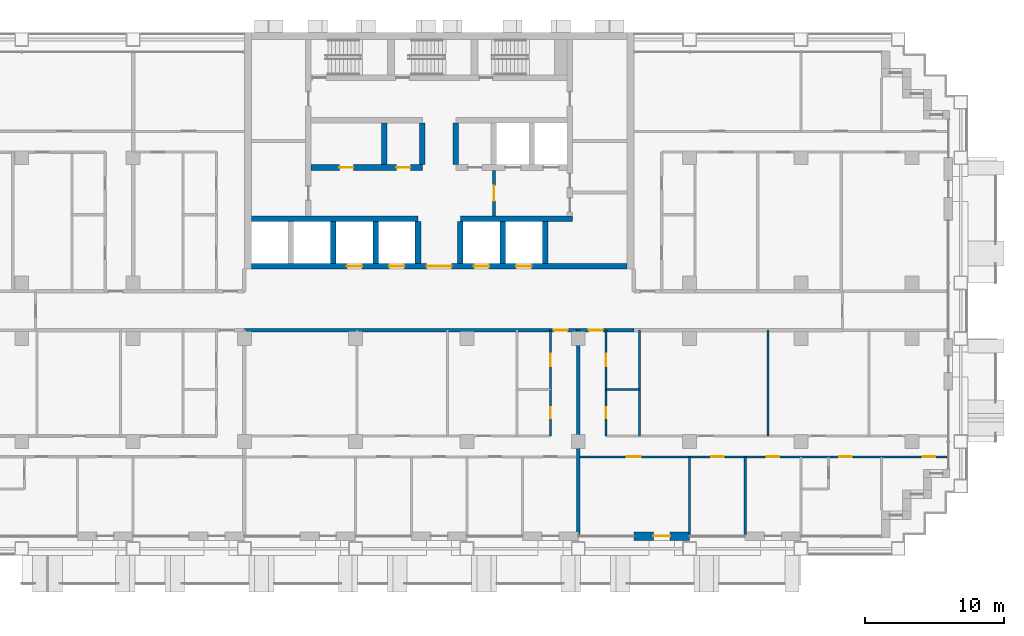
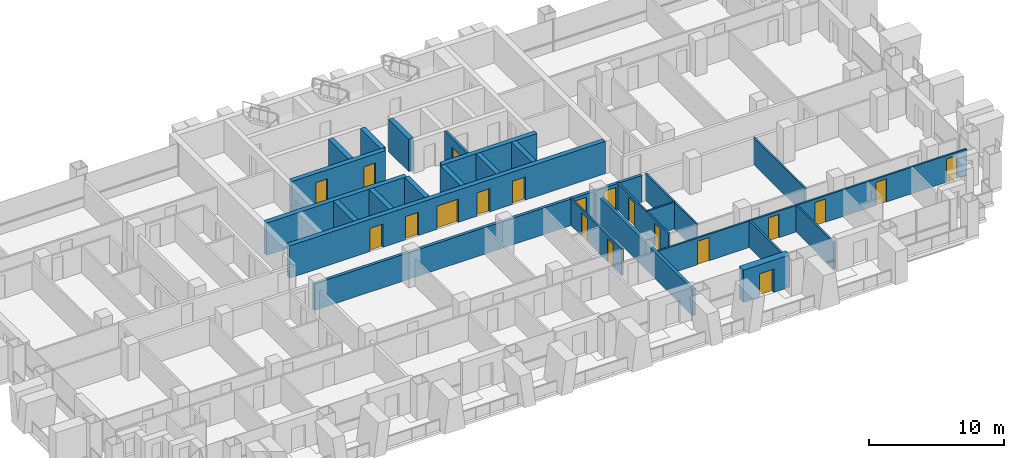
# One storey, part 11 of 18: 25 walls, 20 doors, 20 openings.
"""IFC4 building model written with IfcOpenShell, lengths in metres."""

from ifc_helpers import new_model, si_unit, direction, frame, frame_2d, origin, place, context, subcontext, project, spatial, rectangle, extrude, material, layer, layer_set, type_object, element, fill, save


model = new_model("IFC4")

# Units and contexts
model_context = context("Model", 3, precision=1e-05, world=origin(), true_north=direction((0.0, 1.0)))
body_context = subcontext(model_context, "Body", "Model", "MODEL_VIEW")
ifc_project = project(units=[si_unit("LENGTHUNIT", "METRE"), si_unit("AREAUNIT", "SQUARE_METRE"), si_unit("VOLUMEUNIT", "CUBIC_METRE"), si_unit("PLANEANGLEUNIT", "RADIAN"), si_unit("MASSUNIT", "GRAM", prefix="KILO")], contexts=[model_context])

# Site, building, storey
site_placement = place(None, origin())
site = spatial("IfcSite", under=ifc_project, at=site_placement, CompositionType="ELEMENT")
building_placement = place(site_placement, origin())
building = spatial("IfcBuilding", under=site, at=building_placement, Name="Vidyagriha Tower", CompositionType="ELEMENT")
storey_placement = place(building_placement, frame((0.0, 0.0, 54.39990234375)))
storey = spatial("IfcBuildingStorey", under=building, at=storey_placement, Name="L14", CompositionType="ELEMENT", Elevation=54.39990234375)

# Wall, opening, door
ifc_material_1 = material(Name="Precast concrete C40/50 with brick facing", Category="concrete")
ifc_layer_1 = layer(ifc_material_1, 0.60009765625)
ifc_layer_set_1 = layer_set([ifc_layer_1], Name="Precast concrete C40/50 with brick facing")
wall_type_1 = type_object("IfcWallType", Name="Brick-faced precast wall 600", PredefinedType="STANDARD", material=ifc_layer_set_1)
wall_1_placement = place(storey_placement, frame((14.0, -16.199951171875, 0.0)))
wall_1 = element("IfcWall", 1, at=wall_1_placement, inside=storey, type_object=wall_type_1, Name="Brick door bay wall L14 R23.13", PredefinedType="STANDARD", context=body_context, shape_type="SweptSolid", body=[
    extrude(rectangle(XDim=4.0, YDim=0.60009765625, at=frame_2d((2.0, 0.0))), origin(), (0.0, 0.0, 1.0), 2.920166015625),
])
opening_1_placement = place(wall_1_placement, frame((1.39990234375, 0.0, 0.0)))
opening_1 = element("IfcOpeningElement", 2, at=opening_1_placement, cuts=wall_1, Name="Opening D14-78", PredefinedType="OPENING", context=body_context, shape_type="SweptSolid", body=[
    extrude(rectangle(XDim=1.199951171875, YDim=2.10009765625, at=frame_2d((0.60009765625, 1.050048828125))), frame((0.0, 0.31005859375, 0.0), z_axis=(0.0, -1.0, 0.0), x_axis=(1.0, 0.0, 0.0)), (0.0, 0.0, 1.0), 0.6201171875),
])
ifc_material_2 = material(Name="Aluminium framed glazed sliding door", Category="aluminium")
door_type_1 = type_object("IfcDoorType", Name="Balcony sliding door 1200x2100", OperationType="NOTDEFINED", PredefinedType="DOOR", material=ifc_material_2)
door_1_placement = place(opening_1_placement, origin())
door_1 = element("IfcDoor", 3, at=door_1_placement, inside=storey, type_object=door_type_1, Name="Door D14-78", OperationType="SLIDING_TO_LEFT", OverallHeight=2.10009765625, OverallWidth=1.199951171875, PredefinedType="DOOR", context=body_context, shape_type="SweptSolid", body=[
    extrude(rectangle(XDim=1.199951171875, YDim=2.10009765625, at=frame_2d((0.60009765625, 1.050048828125))), frame((0.0, 0.02490234375, 0.0), z_axis=(0.0, -1.0, 0.0), x_axis=(1.0, 0.0, 0.0)), (0.0, 0.0, 1.0), 0.050048828125),
])
fill(opening_1, door_1)

# Wall, openings, doors
ifc_material_3 = material(Name="Concrete C60/75", Category="concrete")
ifc_layer_2 = layer(ifc_material_3, 0.39990234375)
ifc_layer_set_2 = layer_set([ifc_layer_2], Name="Concrete C60/75")
wall_type_2 = type_object("IfcWallType", Name="Core shear wall 400 mm", PredefinedType="SHEAR", material=ifc_layer_set_2)
wall_2_placement = place(storey_placement, frame((-13.5, 3.199951171875, 0.0)))
wall_2 = element("IfcWall", 4, at=wall_2_placement, inside=storey, type_object=wall_type_2, Name="Core front wall", PredefinedType="SHEAR", context=body_context, shape_type="SweptSolid", body=[
    extrude(rectangle(XDim=27.0, YDim=0.39990234375, at=frame_2d((13.5, 0.0))), origin(), (0.0, 0.0, 1.0), 2.920166015625),
])
opening_2_placement = place(wall_2_placement, frame((6.861083984375, 0.0, 0.0)))
opening_2 = element("IfcOpeningElement", 5, at=opening_2_placement, cuts=wall_2, Name="Opening LD14-01", PredefinedType="OPENING", context=body_context, shape_type="SweptSolid", body=[
    extrude(rectangle(XDim=1.10009765625, YDim=2.10009765625, at=frame_2d((0.550048828125, 1.050048828125))), frame((0.0, 0.2099609375, 0.0), z_axis=(0.0, -1.0, 0.0), x_axis=(1.0, 0.0, 0.0)), (0.0, 0.0, 1.0), 0.419921875),
])
opening_3_placement = place(wall_2_placement, frame((9.905517578125, 0.0, 0.0)))
opening_3 = element("IfcOpeningElement", 6, at=opening_3_placement, cuts=wall_2, Name="Opening LD14-02", PredefinedType="OPENING", context=body_context, shape_type="SweptSolid", body=[
    extrude(rectangle(XDim=1.10009765625, YDim=2.10009765625, at=frame_2d((0.550048828125, 1.050048828125))), frame((0.0, 0.2099609375, 0.0), z_axis=(0.0, -1.0, 0.0), x_axis=(1.0, 0.0, 0.0)), (0.0, 0.0, 1.0), 0.419921875),
])
opening_4_placement = place(wall_2_placement, frame((15.994384765625, 0.0, 0.0)))
opening_4 = element("IfcOpeningElement", 7, at=opening_4_placement, cuts=wall_2, Name="Opening LD14-03", PredefinedType="OPENING", context=body_context, shape_type="SweptSolid", body=[
    extrude(rectangle(XDim=1.10009765625, YDim=2.10009765625, at=frame_2d((0.550048828125, 1.050048828125))), frame((0.0, 0.2099609375, 0.0), z_axis=(0.0, -1.0, 0.0), x_axis=(1.0, 0.0, 0.0)), (0.0, 0.0, 1.0), 0.419921875),
])
opening_5_placement = place(wall_2_placement, frame((19.038818359375, 0.0, 0.0)))
opening_5 = element("IfcOpeningElement", 8, at=opening_5_placement, cuts=wall_2, Name="Opening LD14-04", PredefinedType="OPENING", context=body_context, shape_type="SweptSolid", body=[
    extrude(rectangle(XDim=1.10009765625, YDim=2.10009765625, at=frame_2d((0.550048828125, 1.050048828125))), frame((0.0, 0.2099609375, 0.0), z_axis=(0.0, -1.0, 0.0), x_axis=(1.0, 0.0, 0.0)), (0.0, 0.0, 1.0), 0.419921875),
])
opening_6_placement = place(wall_2_placement, frame((12.60009765625, 0.0, 0.0)))
opening_6 = element("IfcOpeningElement", 9, at=opening_6_placement, cuts=wall_2, Name="Opening D14-01", PredefinedType="OPENING", context=body_context, shape_type="SweptSolid", body=[
    extrude(rectangle(XDim=1.800048828125, YDim=2.10009765625, at=frame_2d((0.89990234375, 1.050048828125))), frame((0.0, 0.2099609375, 0.0), z_axis=(0.0, -1.0, 0.0), x_axis=(1.0, 0.0, 0.0)), (0.0, 0.0, 1.0), 0.419921875),
])
ifc_material_4 = material(Name="Hollow metal door leaf")
door_type_2 = type_object("IfcDoorType", Name="Core lobby double door 1800 x 2100 mm EI 60", OperationType="NOTDEFINED", PredefinedType="DOOR", material=ifc_material_4)
door_2_placement = place(opening_6_placement, frame((1.800048828125, 0.0, 0.0), z_axis=(0.0, 0.0, 1.0), x_axis=(-1.0, 0.0, 0.0)))
door_2 = element("IfcDoor", 10, at=door_2_placement, inside=storey, type_object=door_type_2, Name="Core entrance door L14", OperationType="DOUBLE_DOOR_SINGLE_SWING", OverallHeight=2.10009765625, OverallWidth=1.800048828125, PredefinedType="DOOR", context=body_context, shape_type="SweptSolid", body=[
    extrude(rectangle(XDim=1.800048828125, YDim=2.10009765625, at=frame_2d((0.89990234375, 1.050048828125))), frame((0.0, 0.02490234375, 0.0), z_axis=(0.0, -1.0, 0.0), x_axis=(1.0, 0.0, 0.0)), (0.0, 0.0, 1.0), 0.050048828125),
])
fill(opening_6, door_2)
ifc_material_5 = material(Name="Stainless steel sliding door panel", Category="steel")
door_type_3 = type_object("IfcDoorType", Name="Lift landing door 1100 x 2100 mm EI 90", OperationType="NOTDEFINED", PredefinedType="DOOR", material=ifc_material_5)
door_3_placement = place(opening_2_placement, origin())
door_3 = element("IfcDoor", 11, at=door_3_placement, inside=storey, type_object=door_type_3, Name="Landing door LR1 L14", OperationType="SLIDING_TO_LEFT", OverallHeight=2.10009765625, OverallWidth=1.10009765625, PredefinedType="DOOR", context=body_context, shape_type="SweptSolid", body=[
    extrude(rectangle(XDim=1.10009765625, YDim=2.10009765625, at=frame_2d((0.550048828125, 1.050048828125))), frame((0.0, 0.02490234375, 0.0), z_axis=(0.0, -1.0, 0.0), x_axis=(1.0, 0.0, 0.0)), (0.0, 0.0, 1.0), 0.050048828125),
])
fill(opening_2, door_3)
door_4_placement = place(opening_3_placement, origin())
door_4 = element("IfcDoor", 12, at=door_4_placement, inside=storey, type_object=door_type_3, Name="Landing door LR2 L14", OperationType="SLIDING_TO_LEFT", OverallHeight=2.10009765625, OverallWidth=1.10009765625, PredefinedType="DOOR", context=body_context, shape_type="SweptSolid", body=[
    extrude(rectangle(XDim=1.10009765625, YDim=2.10009765625, at=frame_2d((0.550048828125, 1.050048828125))), frame((0.0, 0.02490234375, 0.0), z_axis=(0.0, -1.0, 0.0), x_axis=(1.0, 0.0, 0.0)), (0.0, 0.0, 1.0), 0.050048828125),
])
fill(opening_3, door_4)
door_5_placement = place(opening_4_placement, origin())
door_5 = element("IfcDoor", 13, at=door_5_placement, inside=storey, type_object=door_type_3, Name="Landing door LR3 L14", OperationType="SLIDING_TO_LEFT", OverallHeight=2.10009765625, OverallWidth=1.10009765625, PredefinedType="DOOR", context=body_context, shape_type="SweptSolid", body=[
    extrude(rectangle(XDim=1.10009765625, YDim=2.10009765625, at=frame_2d((0.550048828125, 1.050048828125))), frame((0.0, 0.02490234375, 0.0), z_axis=(0.0, -1.0, 0.0), x_axis=(1.0, 0.0, 0.0)), (0.0, 0.0, 1.0), 0.050048828125),
])
fill(opening_4, door_5)
door_6_placement = place(opening_5_placement, origin())
door_6 = element("IfcDoor", 14, at=door_6_placement, inside=storey, type_object=door_type_3, Name="Landing door LR4 L14", OperationType="SLIDING_TO_LEFT", OverallHeight=2.10009765625, OverallWidth=1.10009765625, PredefinedType="DOOR", context=body_context, shape_type="SweptSolid", body=[
    extrude(rectangle(XDim=1.10009765625, YDim=2.10009765625, at=frame_2d((0.550048828125, 1.050048828125))), frame((0.0, 0.02490234375, 0.0), z_axis=(0.0, -1.0, 0.0), x_axis=(1.0, 0.0, 0.0)), (0.0, 0.0, 1.0), 0.050048828125),
])
fill(opening_5, door_6)

# Walls
wall_3_placement = place(storey_placement, frame((-13.5, 6.60009765625, 0.0)))
element("IfcWall", 15, at=wall_3_placement, inside=storey, type_object=wall_type_2, Name="Core lobby south wall west", PredefinedType="SHEAR", context=body_context, shape_type="SweptSolid", body=[
    extrude(rectangle(XDim=11.977783203125, YDim=0.39990234375, at=frame_2d((5.98876953125, 0.0))), origin(), (0.0, 0.0, 1.0), 2.920166015625),
])
wall_4_placement = place(storey_placement, frame((1.522216796875, 6.60009765625, 0.0)))
element("IfcWall", 16, at=wall_4_placement, inside=storey, type_object=wall_type_2, Name="Core lobby south wall east", PredefinedType="SHEAR", context=body_context, shape_type="SweptSolid", body=[
    extrude(rectangle(XDim=8.077880859375, YDim=0.39990234375, at=frame_2d((4.0390625, 0.0))), origin(), (0.0, 0.0, 1.0), 2.920166015625),
])
for number, where, z_axis, x_axis, name in (
    (17, (-7.611083984375, 3.39990234375, 0.0), (0.0, 0.0, 1.0), (0.0, 1.0, 0.0), "Core bay wall S2"),
    (18, (-4.566650390625, 3.39990234375, 0.0), (0.0, 0.0, 1.0), (0.0, 1.0, 0.0), "Core bay wall S3"),
    (19, (-1.522216796875, 3.39990234375, 0.0), (0.0, 0.0, 1.0), (0.0, 1.0, 0.0), "Core bay wall S4"),
    (20, (1.522216796875, 3.39990234375, 0.0), (0.0, 0.0, 1.0), (0.0, 1.0, 0.0), "Core bay wall S5"),
    (21, (4.566650390625, 3.39990234375, 0.0), (0.0, 0.0, 1.0), (0.0, 1.0, 0.0), "Core bay wall S6"),
    (22, (7.611083984375, 3.39990234375, 0.0), (0.0, 0.0, 1.0), (0.0, 1.0, 0.0), "Core bay wall S7"),
):
    element("IfcWall", number, at=place(storey_placement, frame(where, z_axis=z_axis, x_axis=x_axis)), inside=storey, type_object=wall_type_2, Name=name, PredefinedType="SHEAR", context=body_context, shape_type="SweptSolid", body=[
        extrude(rectangle(XDim=3.0, YDim=0.39990234375, at=frame_2d((1.5, 0.0))), origin(), (0.0, 0.0, 1.0), 2.920166015625),
    ])

# Wall, openings, doors
wall_5_placement = place(storey_placement, frame((-9.199951171875, 10.300048828125, 0.0)))
wall_5 = element("IfcWall", 23, at=wall_5_placement, inside=storey, type_object=wall_type_2, Name="Core row N front wall", PredefinedType="SHEAR", context=body_context, shape_type="SweptSolid", body=[
    extrude(rectangle(XDim=8.0, YDim=0.39990234375, at=frame_2d((4.0, 0.0))), origin(), (0.0, 0.0, 1.0), 2.920166015625),
])
opening_7_placement = place(wall_5_placement, frame((2.033203125, 0.0, 0.0)))
opening_7 = element("IfcOpeningElement", 24, at=opening_7_placement, cuts=wall_5, Name="Opening D14-02", PredefinedType="OPENING", context=body_context, shape_type="SweptSolid", body=[
    extrude(rectangle(XDim=1.0, YDim=2.10009765625, at=frame_2d((0.5, 1.050048828125))), frame((0.0, 0.2099609375, 0.0), z_axis=(0.0, -1.0, 0.0), x_axis=(1.0, 0.0, 0.0)), (0.0, 0.0, 1.0), 0.419921875),
])
opening_8_placement = place(wall_5_placement, frame((6.13330078125, 0.0, 0.0)))
opening_8 = element("IfcOpeningElement", 25, at=opening_8_placement, cuts=wall_5, Name="Opening D14-03", PredefinedType="OPENING", context=body_context, shape_type="SweptSolid", body=[
    extrude(rectangle(XDim=1.0, YDim=2.10009765625, at=frame_2d((0.5, 1.050048828125))), frame((0.0, 0.2099609375, 0.0), z_axis=(0.0, -1.0, 0.0), x_axis=(1.0, 0.0, 0.0)), (0.0, 0.0, 1.0), 0.419921875),
])
ifc_material_6 = material(Name="Hollow metal door leaf")
door_type_4 = type_object("IfcDoorType", Name="Core room door 1000 x 2100 mm EI 60", OperationType="NOTDEFINED", PredefinedType="DOOR", material=ifc_material_6)
door_7_placement = place(opening_7_placement, frame((1.0, 0.0, 0.0), z_axis=(0.0, 0.0, 1.0), x_axis=(-1.0, 0.0, 0.0)))
door_7 = element("IfcDoor", 26, at=door_7_placement, inside=storey, type_object=door_type_4, Name="Door Riser Room 14.14", OperationType="SINGLE_SWING_RIGHT", OverallHeight=2.10009765625, OverallWidth=1.0, PredefinedType="DOOR", context=body_context, shape_type="SweptSolid", body=[
    extrude(rectangle(XDim=1.0, YDim=2.10009765625, at=frame_2d((0.5, 1.050048828125))), frame((0.0, 0.02490234375, 0.0), z_axis=(0.0, -1.0, 0.0), x_axis=(1.0, 0.0, 0.0)), (0.0, 0.0, 1.0), 0.050048828125),
])
fill(opening_7, door_7)
door_8_placement = place(opening_8_placement, frame((1.0, 0.0, 0.0), z_axis=(0.0, 0.0, 1.0), x_axis=(-1.0, 0.0, 0.0)))
door_8 = element("IfcDoor", 27, at=door_8_placement, inside=storey, type_object=door_type_4, Name="Door Mechanical Riser Room 14.15", OperationType="SINGLE_SWING_LEFT", OverallHeight=2.10009765625, OverallWidth=1.0, PredefinedType="DOOR", context=body_context, shape_type="SweptSolid", body=[
    extrude(rectangle(XDim=1.0, YDim=2.10009765625, at=frame_2d((0.5, 1.050048828125))), frame((0.0, 0.02490234375, 0.0), z_axis=(0.0, -1.0, 0.0), x_axis=(1.0, 0.0, 0.0)), (0.0, 0.0, 1.0), 0.050048828125),
])
fill(opening_8, door_8)

# Walls
for number, where, z_axis, x_axis, name in (
    (28, (-3.933349609375, 10.5, 0.0), (0.0, 0.0, 1.0), (0.0, 1.0, 0.0), "Core bay wall N2"),
    (29, (-1.199951171875, 10.5, 0.0), (0.0, 0.0, 1.0), (0.0, 1.0, 0.0), "Core bay wall N3"),
    (30, (1.199951171875, 10.5, 0.0), (0.0, 0.0, 1.0), (0.0, 1.0, 0.0), "Core bay wall N4"),
):
    element("IfcWall", number, at=place(storey_placement, frame(where, z_axis=z_axis, x_axis=x_axis)), inside=storey, type_object=wall_type_2, Name=name, PredefinedType="SHEAR", context=body_context, shape_type="SweptSolid", body=[
        extrude(rectangle(XDim=3.0, YDim=0.39990234375, at=frame_2d((1.5, 0.0))), origin(), (0.0, 0.0, 1.0), 2.920166015625),
    ])

# Wall, openings, doors
ifc_material_7 = material(Name="Fired clay brick masonry", Category="masonry")
ifc_layer_3 = layer(ifc_material_7, 0.25)
ifc_layer_set_3 = layer_set([ifc_layer_3], Name="Fired clay brick masonry")
wall_type_3 = type_object("IfcWallType", Name="Fired clay brick corridor wall 250", PredefinedType="PARTITIONING", material=ifc_layer_set_3)
wall_6_placement = place(storey_placement, frame((14.0, -1.39990234375, 0.0), z_axis=(0.0, 0.0, 1.0), x_axis=(-1.0, 0.0, 0.0)))
wall_6 = element("IfcWall", 31, at=wall_6_placement, inside=storey, type_object=wall_type_3, Name="Wall all-L14-w128", PredefinedType="PARTITIONING", context=body_context, shape_type="SweptSolid", body=[
    extrude(rectangle(XDim=28.0, YDim=0.25, at=frame_2d((14.0, 0.0))), origin(), (0.0, 0.0, 1.0), 2.400146484375),
])
opening_9_placement = place(wall_6_placement, frame((4.760009765625, 0.0, 0.0)))
opening_9 = element("IfcOpeningElement", 32, at=opening_9_placement, cuts=wall_6, Name="Opening D14-35", PredefinedType="OPENING", context=body_context, shape_type="SweptSolid", body=[
    extrude(rectangle(XDim=1.0, YDim=2.10009765625, at=frame_2d((0.5, 1.050048828125))), frame((0.0, 0.135009765625, 0.0), z_axis=(0.0, -1.0, 0.0), x_axis=(1.0, 0.0, 0.0)), (0.0, 0.0, 1.0), 0.27001953125),
])
opening_10_placement = place(wall_6_placement, frame((2.239990234375, 0.0, 0.0)))
opening_10 = element("IfcOpeningElement", 33, at=opening_10_placement, cuts=wall_6, Name="Opening D14-47", PredefinedType="OPENING", context=body_context, shape_type="SweptSolid", body=[
    extrude(rectangle(XDim=1.0, YDim=2.10009765625, at=frame_2d((0.5, 1.050048828125))), frame((0.0, 0.135009765625, 0.0), z_axis=(0.0, -1.0, 0.0), x_axis=(1.0, 0.0, 0.0)), (0.0, 0.0, 1.0), 0.27001953125),
])
ifc_material_8 = material(Name="Fire-rated timber door leaf EI 60", Category="wood")
door_type_5 = type_object("IfcDoorType", Name="Flat entrance fire door 1000x2100", OperationType="NOTDEFINED", PredefinedType="DOOR", material=ifc_material_8)
door_9_placement = place(opening_9_placement, origin())
door_9 = element("IfcDoor", 34, at=door_9_placement, inside=storey, type_object=door_type_5, Name="Door D14-35", OperationType="SINGLE_SWING_LEFT", OverallHeight=2.10009765625, OverallWidth=1.0, PredefinedType="DOOR", context=body_context, shape_type="SweptSolid", body=[
    extrude(rectangle(XDim=1.0, YDim=2.10009765625, at=frame_2d((0.5, 1.050048828125))), frame((0.0, 0.02490234375, 0.0), z_axis=(0.0, -1.0, 0.0), x_axis=(1.0, 0.0, 0.0)), (0.0, 0.0, 1.0), 0.050048828125),
])
fill(opening_9, door_9)
door_10_placement = place(opening_10_placement, origin())
door_10 = element("IfcDoor", 35, at=door_10_placement, inside=storey, type_object=door_type_5, Name="Door D14-47", OperationType="SINGLE_SWING_RIGHT", OverallHeight=2.10009765625, OverallWidth=1.0, PredefinedType="DOOR", context=body_context, shape_type="SweptSolid", body=[
    extrude(rectangle(XDim=1.0, YDim=2.10009765625, at=frame_2d((0.5, 1.050048828125))), frame((0.0, 0.02490234375, 0.0), z_axis=(0.0, -1.0, 0.0), x_axis=(1.0, 0.0, 0.0)), (0.0, 0.0, 1.0), 0.050048828125),
])
fill(opening_10, door_10)

# Walls
ifc_material_9 = material(Name="Fired clay brick masonry", Category="masonry")
ifc_layer_4 = layer(ifc_material_9, 0.25)
ifc_layer_set_4 = layer_set([ifc_layer_4], Name="Fired clay brick masonry")
wall_type_4 = type_object("IfcWallType", Name="Fired clay brick demising wall 250", PredefinedType="PARTITIONING", material=ifc_layer_set_4)
wall_7_placement = place(storey_placement, frame((10.0, -1.39990234375, 0.0), z_axis=(0.0, 0.0, 1.0), x_axis=(0.0, -1.0, 0.0)))
element("IfcWall", 36, at=wall_7_placement, inside=storey, type_object=wall_type_4, Name="Wall all-L14-w072", PredefinedType="PARTITIONING", context=body_context, shape_type="SweptSolid", body=[
    extrude(rectangle(XDim=14.710205078125, YDim=0.25, at=frame_2d((7.35498046875, 0.0))), origin(), (0.0, 0.0, 1.0), 2.400146484375),
])
ifc_material_10 = material(Name="Gypsum board partition")
ifc_layer_5 = layer(ifc_material_10, 0.14990234375)
ifc_layer_set_5 = layer_set([ifc_layer_5], Name="Gypsum board partition")
wall_type_5 = type_object("IfcWallType", Name="Gypsum board partition 150", PredefinedType="PARTITIONING", material=ifc_layer_set_5)
wall_8_placement = place(storey_placement, frame((14.39990234375, -5.64990234375, 0.0), z_axis=(0.0, 0.0, 1.0), x_axis=(-1.0, 0.0, 0.0)))
element("IfcWall", 37, at=wall_8_placement, inside=storey, type_object=wall_type_5, Name="Wall all-L14-w050", PredefinedType="PARTITIONING", context=body_context, shape_type="SweptSolid", body=[
    extrude(rectangle(XDim=2.39990234375, YDim=0.14990234375, at=frame_2d((1.199951171875, 0.0))), origin(), (0.0, 0.0, 1.0), 2.400146484375),
])
for number, where, z_axis, x_axis, name in (
    (38, (14.39990234375, -1.39990234375, 0.0), (0.0, 0.0, 1.0), (0.0, -1.0, 0.0), "Wall all-L14-w051"),
    (39, (23.64990234375, -1.39990234375, 0.0), (0.0, 0.0, 1.0), (0.0, -1.0, 0.0), "Wall all-L14-w052"),
):
    element("IfcWall", number, at=place(storey_placement, frame(where, z_axis=z_axis, x_axis=x_axis)), inside=storey, type_object=wall_type_5, Name=name, PredefinedType="PARTITIONING", context=body_context, shape_type="SweptSolid", body=[
        extrude(rectangle(XDim=7.60009765625, YDim=0.14990234375, at=frame_2d((3.800048828125, 0.0))), origin(), (0.0, 0.0, 1.0), 2.400146484375),
    ])

# Wall, openings, doors
wall_9_placement = place(storey_placement, frame((36.52001953125, -10.5, 0.0), z_axis=(0.0, 0.0, 1.0), x_axis=(-1.0, 0.0, 0.0)))
wall_9 = element("IfcWall", 40, at=wall_9_placement, inside=storey, type_object=wall_type_5, Name="Wall all-L14-w058", PredefinedType="PARTITIONING", context=body_context, shape_type="SweptSolid", body=[
    extrude(rectangle(XDim=26.52001953125, YDim=0.14990234375, at=frame_2d((13.260009765625, 0.0))), origin(), (0.0, 0.0, 1.0), 2.400146484375),
])
opening_11_placement = place(wall_9_placement, frame((22.02001953125, 0.0, 0.0)))
opening_11 = element("IfcOpeningElement", 41, at=opening_11_placement, cuts=wall_9, Name="Opening D14-41", PredefinedType="OPENING", context=body_context, shape_type="SweptSolid", body=[
    extrude(rectangle(XDim=1.0, YDim=2.10009765625, at=frame_2d((0.5, 1.050048828125))), frame((0.0, 0.0849609375, 0.0), z_axis=(0.0, -1.0, 0.0), x_axis=(1.0, 0.0, 0.0)), (0.0, 0.0, 1.0), 0.169921875),
])
opening_12_placement = place(wall_9_placement, frame((16.070068359375, 0.0, 0.0)))
opening_12 = element("IfcOpeningElement", 42, at=opening_12_placement, cuts=wall_9, Name="Opening D14-42", PredefinedType="OPENING", context=body_context, shape_type="SweptSolid", body=[
    extrude(rectangle(XDim=0.89990234375, YDim=2.10009765625, at=frame_2d((0.449951171875, 1.050048828125))), frame((0.0, 0.0849609375, 0.0), z_axis=(0.0, -1.0, 0.0), x_axis=(1.0, 0.0, 0.0)), (0.0, 0.0, 1.0), 0.169921875),
])
opening_13_placement = place(wall_9_placement, frame((12.070068359375, 0.0, 0.0)))
opening_13 = element("IfcOpeningElement", 43, at=opening_13_placement, cuts=wall_9, Name="Opening D14-43", PredefinedType="OPENING", context=body_context, shape_type="SweptSolid", body=[
    extrude(rectangle(XDim=0.89990234375, YDim=2.10009765625, at=frame_2d((0.449951171875, 1.050048828125))), frame((0.0, 0.0849609375, 0.0), z_axis=(0.0, -1.0, 0.0), x_axis=(1.0, 0.0, 0.0)), (0.0, 0.0, 1.0), 0.169921875),
])
opening_14_placement = place(wall_9_placement, frame((6.8701171875, 0.0, 0.0)))
opening_14 = element("IfcOpeningElement", 44, at=opening_14_placement, cuts=wall_9, Name="Opening D14-44", PredefinedType="OPENING", context=body_context, shape_type="SweptSolid", body=[
    extrude(rectangle(XDim=0.89990234375, YDim=2.10009765625, at=frame_2d((0.449951171875, 1.050048828125))), frame((0.0, 0.0849609375, 0.0), z_axis=(0.0, -1.0, 0.0), x_axis=(1.0, 0.0, 0.0)), (0.0, 0.0, 1.0), 0.169921875),
])
opening_15_placement = place(wall_9_placement, frame((0.860107421875, 0.0, 0.0)))
opening_15 = element("IfcOpeningElement", 45, at=opening_15_placement, cuts=wall_9, Name="Opening D14-45", PredefinedType="OPENING", context=body_context, shape_type="SweptSolid", body=[
    extrude(rectangle(XDim=0.89990234375, YDim=2.10009765625, at=frame_2d((0.449951171875, 1.050048828125))), frame((0.0, 0.0849609375, 0.0), z_axis=(0.0, -1.0, 0.0), x_axis=(1.0, 0.0, 0.0)), (0.0, 0.0, 1.0), 0.169921875),
])
ifc_material_11 = material(Name="Timber door leaf", Category="wood")
door_type_6 = type_object("IfcDoorType", Name="Room door 1000x2100", OperationType="NOTDEFINED", PredefinedType="DOOR", material=ifc_material_11)
door_11_placement = place(opening_11_placement, origin())
door_11 = element("IfcDoor", 46, at=door_11_placement, inside=storey, type_object=door_type_6, Name="Door D14-41", OperationType="SINGLE_SWING_RIGHT", OverallHeight=2.10009765625, OverallWidth=1.0, PredefinedType="DOOR", context=body_context, shape_type="SweptSolid", body=[
    extrude(rectangle(XDim=1.0, YDim=2.10009765625, at=frame_2d((0.5, 1.050048828125))), frame((0.0, 0.02490234375, 0.0), z_axis=(0.0, -1.0, 0.0), x_axis=(1.0, 0.0, 0.0)), (0.0, 0.0, 1.0), 0.050048828125),
])
fill(opening_11, door_11)
ifc_material_12 = material(Name="Timber door leaf", Category="wood")
door_type_7 = type_object("IfcDoorType", Name="Room door 900x2100", OperationType="NOTDEFINED", PredefinedType="DOOR", material=ifc_material_12)
door_12_placement = place(opening_12_placement, origin())
door_12 = element("IfcDoor", 47, at=door_12_placement, inside=storey, type_object=door_type_7, Name="Door D14-42", OperationType="SINGLE_SWING_RIGHT", OverallHeight=2.10009765625, OverallWidth=0.89990234375, PredefinedType="DOOR", context=body_context, shape_type="SweptSolid", body=[
    extrude(rectangle(XDim=0.89990234375, YDim=2.10009765625, at=frame_2d((0.449951171875, 1.050048828125))), frame((0.0, 0.02490234375, 0.0), z_axis=(0.0, -1.0, 0.0), x_axis=(1.0, 0.0, 0.0)), (0.0, 0.0, 1.0), 0.050048828125),
])
fill(opening_12, door_12)
door_13_placement = place(opening_13_placement, origin())
door_13 = element("IfcDoor", 48, at=door_13_placement, inside=storey, type_object=door_type_7, Name="Door D14-43", OperationType="SINGLE_SWING_RIGHT", OverallHeight=2.10009765625, OverallWidth=0.89990234375, PredefinedType="DOOR", context=body_context, shape_type="SweptSolid", body=[
    extrude(rectangle(XDim=0.89990234375, YDim=2.10009765625, at=frame_2d((0.449951171875, 1.050048828125))), frame((0.0, 0.02490234375, 0.0), z_axis=(0.0, -1.0, 0.0), x_axis=(1.0, 0.0, 0.0)), (0.0, 0.0, 1.0), 0.050048828125),
])
fill(opening_13, door_13)
door_14_placement = place(opening_14_placement, origin())
door_14 = element("IfcDoor", 49, at=door_14_placement, inside=storey, type_object=door_type_7, Name="Door D14-44", OperationType="SINGLE_SWING_LEFT", OverallHeight=2.10009765625, OverallWidth=0.89990234375, PredefinedType="DOOR", context=body_context, shape_type="SweptSolid", body=[
    extrude(rectangle(XDim=0.89990234375, YDim=2.10009765625, at=frame_2d((0.449951171875, 1.050048828125))), frame((0.0, 0.02490234375, 0.0), z_axis=(0.0, -1.0, 0.0), x_axis=(1.0, 0.0, 0.0)), (0.0, 0.0, 1.0), 0.050048828125),
])
fill(opening_14, door_14)
door_15_placement = place(opening_15_placement, origin())
door_15 = element("IfcDoor", 50, at=door_15_placement, inside=storey, type_object=door_type_7, Name="Door D14-45", OperationType="SINGLE_SWING_LEFT", OverallHeight=2.10009765625, OverallWidth=0.89990234375, PredefinedType="DOOR", context=body_context, shape_type="SweptSolid", body=[
    extrude(rectangle(XDim=0.89990234375, YDim=2.10009765625, at=frame_2d((0.449951171875, 1.050048828125))), frame((0.0, 0.02490234375, 0.0), z_axis=(0.0, -1.0, 0.0), x_axis=(1.0, 0.0, 0.0)), (0.0, 0.0, 1.0), 0.050048828125),
])
fill(opening_15, door_15)

# Walls
wall_10_placement = place(storey_placement, frame((18.0, -10.5, 0.0), z_axis=(0.0, 0.0, 1.0), x_axis=(0.0, -1.0, 0.0)))
element("IfcWall", 51, at=wall_10_placement, inside=storey, type_object=wall_type_5, Name="Wall all-L14-w064", PredefinedType="PARTITIONING", context=body_context, shape_type="SweptSolid", body=[
    extrude(rectangle(XDim=5.610107421875, YDim=0.14990234375, at=frame_2d((2.80517578125, 0.0))), origin(), (0.0, 0.0, 1.0), 2.400146484375),
])
wall_11_placement = place(storey_placement, frame((22.0, -10.5, 0.0), z_axis=(0.0, 0.0, 1.0), x_axis=(0.0, -1.0, 0.0)))
element("IfcWall", 52, at=wall_11_placement, inside=storey, type_object=wall_type_5, Name="Wall all-L14-w065", PredefinedType="PARTITIONING", context=body_context, shape_type="SweptSolid", body=[
    extrude(rectangle(XDim=5.62109375, YDim=0.14990234375, at=frame_2d((2.810546875, 0.0))), origin(), (0.0, 0.0, 1.0), 2.400146484375),
])

# Wall, openings, doors
ifc_material_13 = material(Name="Moisture resistant gypsum board partition")
ifc_layer_6 = layer(ifc_material_13, 0.14990234375)
ifc_layer_set_6 = layer_set([ifc_layer_6], Name="Moisture resistant gypsum board partition")
wall_type_6 = type_object("IfcWallType", Name="Gypsum board wet-area partition 150", PredefinedType="PARTITIONING", material=ifc_layer_set_6)
wall_12_placement = place(storey_placement, frame((8.0, -9.0, 0.0), z_axis=(0.0, 0.0, 1.0), x_axis=(0.0, 1.0, 0.0)))
wall_12 = element("IfcWall", 53, at=wall_12_placement, inside=storey, type_object=wall_type_6, Name="Wall all-L14-w024", PredefinedType="PARTITIONING", context=body_context, shape_type="SweptSolid", body=[
    extrude(rectangle(XDim=7.60009765625, YDim=0.14990234375, at=frame_2d((3.800048828125, 0.0))), origin(), (0.0, 0.0, 1.0), 2.400146484375),
])
opening_16_placement = place(wall_12_placement, frame((5.02490234375, 0.0, 0.0)))
opening_16 = element("IfcOpeningElement", 54, at=opening_16_placement, cuts=wall_12, Name="Opening D14-25", PredefinedType="OPENING", context=body_context, shape_type="SweptSolid", body=[
    extrude(rectangle(XDim=0.89990234375, YDim=2.10009765625, at=frame_2d((0.449951171875, 1.050048828125))), frame((0.0, 0.0849609375, 0.0), z_axis=(0.0, -1.0, 0.0), x_axis=(1.0, 0.0, 0.0)), (0.0, 0.0, 1.0), 0.169921875),
])
opening_17_placement = place(wall_12_placement, frame((1.27490234375, 0.0, 0.0)))
opening_17 = element("IfcOpeningElement", 55, at=opening_17_placement, cuts=wall_12, Name="Opening D14-26", PredefinedType="OPENING", context=body_context, shape_type="SweptSolid", body=[
    extrude(rectangle(XDim=0.800048828125, YDim=2.10009765625, at=frame_2d((0.39990234375, 1.050048828125))), frame((0.0, 0.0849609375, 0.0), z_axis=(0.0, -1.0, 0.0), x_axis=(1.0, 0.0, 0.0)), (0.0, 0.0, 1.0), 0.169921875),
])
ifc_material_14 = material(Name="Timber door leaf", Category="wood")
door_type_8 = type_object("IfcDoorType", Name="Bathroom door 800x2100", OperationType="NOTDEFINED", PredefinedType="DOOR", material=ifc_material_14)
door_16_placement = place(opening_17_placement, origin())
door_16 = element("IfcDoor", 56, at=door_16_placement, inside=storey, type_object=door_type_8, Name="Door D14-26", OperationType="SINGLE_SWING_RIGHT", OverallHeight=2.10009765625, OverallWidth=0.800048828125, PredefinedType="DOOR", context=body_context, shape_type="SweptSolid", body=[
    extrude(rectangle(XDim=0.800048828125, YDim=2.10009765625, at=frame_2d((0.39990234375, 1.050048828125))), frame((0.0, 0.02490234375, 0.0), z_axis=(0.0, -1.0, 0.0), x_axis=(1.0, 0.0, 0.0)), (0.0, 0.0, 1.0), 0.050048828125),
])
fill(opening_17, door_16)
ifc_material_15 = material(Name="Timber door leaf", Category="wood")
door_type_9 = type_object("IfcDoorType", Name="Kitchen door 900x2100", OperationType="NOTDEFINED", PredefinedType="DOOR", material=ifc_material_15)
door_17_placement = place(opening_16_placement, origin())
door_17 = element("IfcDoor", 57, at=door_17_placement, inside=storey, type_object=door_type_9, Name="Door D14-25", OperationType="SINGLE_SWING_LEFT", OverallHeight=2.10009765625, OverallWidth=0.89990234375, PredefinedType="DOOR", context=body_context, shape_type="SweptSolid", body=[
    extrude(rectangle(XDim=0.89990234375, YDim=2.10009765625, at=frame_2d((0.449951171875, 1.050048828125))), frame((0.0, 0.02490234375, 0.0), z_axis=(0.0, -1.0, 0.0), x_axis=(1.0, 0.0, 0.0)), (0.0, 0.0, 1.0), 0.050048828125),
])
fill(opening_16, door_17)

wall_13_placement = place(storey_placement, frame((12.0, -1.39990234375, 0.0), z_axis=(0.0, 0.0, 1.0), x_axis=(0.0, -1.0, 0.0)))
wall_13 = element("IfcWall", 58, at=wall_13_placement, inside=storey, type_object=wall_type_6, Name="Wall all-L14-w047", PredefinedType="PARTITIONING", context=body_context, shape_type="SweptSolid", body=[
    extrude(rectangle(XDim=7.60009765625, YDim=0.14990234375, at=frame_2d((3.800048828125, 0.0))), origin(), (0.0, 0.0, 1.0), 2.400146484375),
])
opening_18_placement = place(wall_13_placement, frame((1.675048828125, 0.0, 0.0)))
opening_18 = element("IfcOpeningElement", 59, at=opening_18_placement, cuts=wall_13, Name="Opening D14-36", PredefinedType="OPENING", context=body_context, shape_type="SweptSolid", body=[
    extrude(rectangle(XDim=0.89990234375, YDim=2.10009765625, at=frame_2d((0.449951171875, 1.050048828125))), frame((0.0, 0.0849609375, 0.0), z_axis=(0.0, -1.0, 0.0), x_axis=(1.0, 0.0, 0.0)), (0.0, 0.0, 1.0), 0.169921875),
])
opening_19_placement = place(wall_13_placement, frame((5.52490234375, 0.0, 0.0)))
opening_19 = element("IfcOpeningElement", 60, at=opening_19_placement, cuts=wall_13, Name="Opening D14-37", PredefinedType="OPENING", context=body_context, shape_type="SweptSolid", body=[
    extrude(rectangle(XDim=0.800048828125, YDim=2.10009765625, at=frame_2d((0.39990234375, 1.050048828125))), frame((0.0, 0.0849609375, 0.0), z_axis=(0.0, -1.0, 0.0), x_axis=(1.0, 0.0, 0.0)), (0.0, 0.0, 1.0), 0.169921875),
])
door_18_placement = place(opening_19_placement, origin())
door_18 = element("IfcDoor", 61, at=door_18_placement, inside=storey, type_object=door_type_8, Name="Door D14-37", OperationType="SINGLE_SWING_RIGHT", OverallHeight=2.10009765625, OverallWidth=0.800048828125, PredefinedType="DOOR", context=body_context, shape_type="SweptSolid", body=[
    extrude(rectangle(XDim=0.800048828125, YDim=2.10009765625, at=frame_2d((0.39990234375, 1.050048828125))), frame((0.0, 0.02490234375, 0.0), z_axis=(0.0, -1.0, 0.0), x_axis=(1.0, 0.0, 0.0)), (0.0, 0.0, 1.0), 0.050048828125),
])
fill(opening_19, door_18)
door_19_placement = place(opening_18_placement, origin())
door_19 = element("IfcDoor", 62, at=door_19_placement, inside=storey, type_object=door_type_9, Name="Door D14-36", OperationType="SINGLE_SWING_LEFT", OverallHeight=2.10009765625, OverallWidth=0.89990234375, PredefinedType="DOOR", context=body_context, shape_type="SweptSolid", body=[
    extrude(rectangle(XDim=0.89990234375, YDim=2.10009765625, at=frame_2d((0.449951171875, 1.050048828125))), frame((0.0, 0.02490234375, 0.0), z_axis=(0.0, -1.0, 0.0), x_axis=(1.0, 0.0, 0.0)), (0.0, 0.0, 1.0), 0.050048828125),
])
fill(opening_18, door_19)

# Wall, opening, door
ifc_material_16 = material(Name="Blockwork 15 MPa", Category="masonry")
ifc_layer_7 = layer(ifc_material_16, 0.199951171875)
ifc_layer_set_7 = layer_set([ifc_layer_7], Name="Blockwork 15 MPa")
wall_type_7 = type_object("IfcWallType", Name="Service room partition 200 mm", PredefinedType="PARTITIONING", material=ifc_layer_set_7)
wall_14_placement = place(storey_placement, frame((3.933349609375, 6.800048828125, 0.0), z_axis=(0.0, 0.0, 1.0), x_axis=(0.0, 1.0, 0.0)))
wall_14 = element("IfcWall", 63, at=wall_14_placement, inside=storey, type_object=wall_type_7, Name="Fire-fighting lobby west wall", PredefinedType="PARTITIONING", context=body_context, shape_type="SweptSolid", body=[
    extrude(rectangle(XDim=3.300048828125, YDim=0.199951171875, at=frame_2d((1.64990234375, 0.0))), origin(), (0.0, 0.0, 1.0), 2.920166015625),
])
opening_20_placement = place(wall_14_placement, frame((1.10009765625, 0.0, 0.0)))
opening_20 = element("IfcOpeningElement", 64, at=opening_20_placement, cuts=wall_14, Name="Opening D14-05", PredefinedType="OPENING", context=body_context, shape_type="SweptSolid", body=[
    extrude(rectangle(XDim=1.10009765625, YDim=2.10009765625, at=frame_2d((0.550048828125, 1.050048828125))), frame((0.0, 0.10986328125, 0.0), z_axis=(0.0, -1.0, 0.0), x_axis=(1.0, 0.0, 0.0)), (0.0, 0.0, 1.0), 0.219970703125),
])
ifc_material_17 = material(Name="Hollow metal door leaf")
door_type_10 = type_object("IfcDoorType", Name="Fire-fighting lobby door 1100 x 2100 mm EI 90", OperationType="NOTDEFINED", PredefinedType="DOOR", material=ifc_material_17)
door_20_placement = place(opening_20_placement, origin())
door_20 = element("IfcDoor", 65, at=door_20_placement, inside=storey, type_object=door_type_10, Name="Fire-fighting lobby door L14", OperationType="SINGLE_SWING_RIGHT", OverallHeight=2.10009765625, OverallWidth=1.10009765625, PredefinedType="DOOR", context=body_context, shape_type="SweptSolid", body=[
    extrude(rectangle(XDim=1.10009765625, YDim=2.10009765625, at=frame_2d((0.550048828125, 1.050048828125))), frame((0.0, 0.02490234375, 0.0), z_axis=(0.0, -1.0, 0.0), x_axis=(1.0, 0.0, 0.0)), (0.0, 0.0, 1.0), 0.050048828125),
])
fill(opening_20, door_20)

save(model, "model.ifc")
